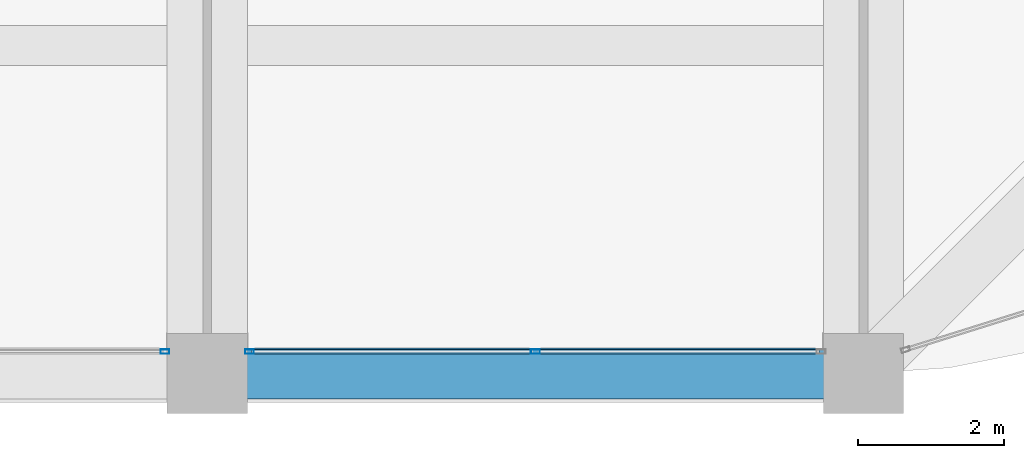
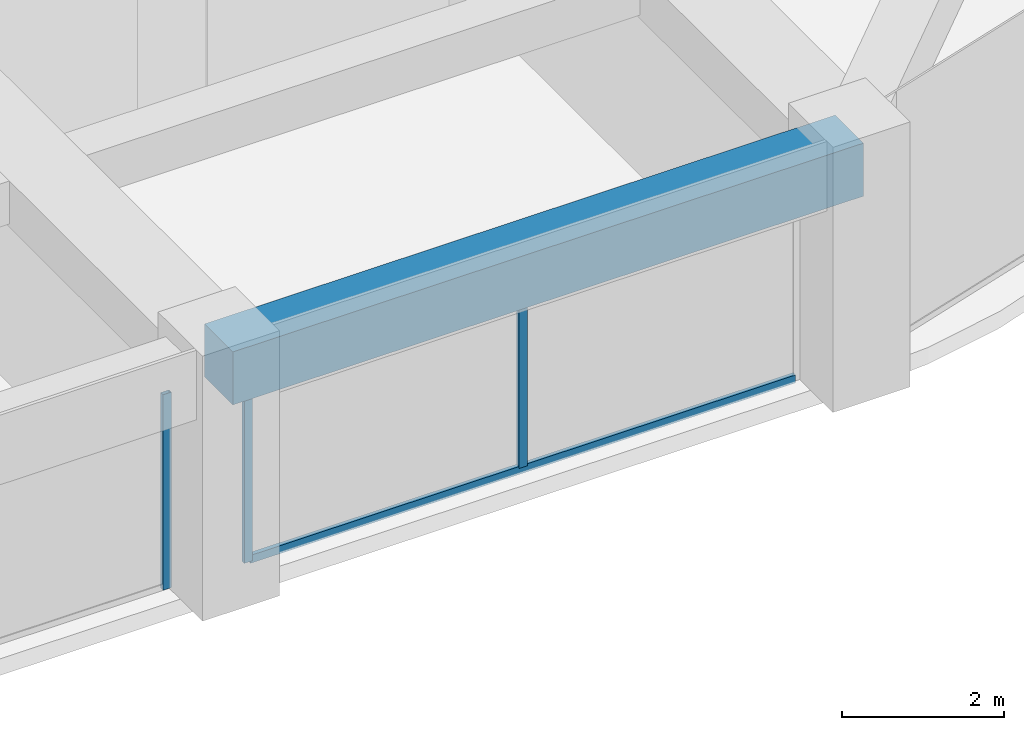
# One storey, part 11 of 44: 4 members, 1 beam, 2 elements without a shape of their own.
"""IFC4 building model written with IfcOpenShell, lengths in metres."""

from ifc_helpers import new_model, si_unit, direction, frame, origin, origin_2d, place, context, subcontext, project, spatial, rectangle, hollow_rectangle, extrude, material, material_profile, profile_set, type_object, element, aggregate, save


model = new_model("IFC4")

# Units and contexts
model_context = context("Model", 3, precision=1e-05, world=origin(), true_north=direction((0.0, 1.0)))
body_context = subcontext(model_context, "Body", "Model", "MODEL_VIEW")
ifc_project = project(units=[si_unit("LENGTHUNIT", "METRE"), si_unit("AREAUNIT", "SQUARE_METRE"), si_unit("VOLUMEUNIT", "CUBIC_METRE"), si_unit("PLANEANGLEUNIT", "RADIAN"), si_unit("MASSUNIT", "GRAM", prefix="KILO")], contexts=[model_context])

# Site, building, storey
site_placement = place(None, origin())
site = spatial("IfcSite", under=ifc_project, at=site_placement, CompositionType="ELEMENT")
building_placement = place(site_placement, origin())
building = spatial("IfcBuilding", under=site, at=building_placement, Name="Zorevar Civic Tower", CompositionType="ELEMENT")
storey_placement = place(building_placement, frame((0.0, 0.0, 267.39990234375)))
storey = spatial("IfcBuildingStorey", under=building, at=storey_placement, Name="L65", CompositionType="ELEMENT", Elevation=267.39990234375)

# Curtain wall, member
ifc_material_1 = material(Name="Dark grey solar-control glass in black aluminium frame", Category="aluminium")
curtain_wall_type = type_object("IfcCurtainWallType", Name="Curtain wall CW5 top zone", PredefinedType="NOTDEFINED", material=ifc_material_1)
curtain_wall_1_placement = place(storey_placement, origin())
curtain_wall_1 = element("IfcCurtainWall", 1, at=curtain_wall_1_placement, inside=storey, type_object=curtain_wall_type, Name="CW5 L65", PredefinedType="NOTDEFINED")
ifc_material_2 = material(Name="Aluminium, black anodised", Category="aluminium")
ifc_material_profile_1 = material_profile(ifc_material_2, hollow_rectangle(XDim=0.06005859375, YDim=0.1201171875, WallThickness=0.0029296875, at=origin_2d()), Name="AL 120x60x3")
ifc_profile_set_1 = profile_set([ifc_material_profile_1], Name="Aluminium, black anodised")
member_type_1 = type_object("IfcMemberType", Name="CW5 mullion AL 120x60x3", PredefinedType="MULLION", material=ifc_profile_set_1)
member_1_placement = place(storey_placement, frame((35.419921875, 0.300048828125, 0.0), z_axis=(0.0, 0.0, 1.0), x_axis=(0.0, 1.0, 0.0)))
member_1 = element("IfcMember", 2, at=member_1_placement, type_object=member_type_1, Name="CW5 mullion 3", PredefinedType="MULLION", context=body_context, shape_type="SweptSolid", body=[
    extrude(hollow_rectangle(XDim=0.06005859375, YDim=0.1201171875, WallThickness=0.0029296875, at=origin_2d()), origin(), (0.0, 0.0, 1.0), 2.9501953125),
])
aggregate(curtain_wall_1, [member_1])

# Curtain wall, members
curtain_wall_2_placement = place(storey_placement, origin())
curtain_wall_2 = element("IfcCurtainWall", 3, at=curtain_wall_2_placement, inside=storey, type_object=curtain_wall_type, Name="CW5 L65", PredefinedType="NOTDEFINED")
member_2_placement = place(storey_placement, frame((36.580078125, 0.300048828125, 0.0), z_axis=(0.0, 0.0, 1.0), x_axis=(0.0, 1.0, 0.0)))
member_2 = element("IfcMember", 4, at=member_2_placement, type_object=member_type_1, Name="CW5 mullion 1", PredefinedType="MULLION", context=body_context, shape_type="SweptSolid", body=[
    extrude(hollow_rectangle(XDim=0.06005859375, YDim=0.1201171875, WallThickness=0.0029296875, at=origin_2d()), origin(), (0.0, 0.0, 1.0), 2.9501953125),
])
member_3_placement = place(storey_placement, frame((40.5, 0.300048828125, 0.06005859375), z_axis=(0.0, 0.0, 1.0), x_axis=(0.0, 1.0, 0.0)))
member_3 = element("IfcMember", 5, at=member_3_placement, type_object=member_type_1, Name="CW5 mullion 2", PredefinedType="MULLION", context=body_context, shape_type="SweptSolid", body=[
    extrude(hollow_rectangle(XDim=0.06005859375, YDim=0.1201171875, WallThickness=0.0029296875, at=origin_2d()), origin(), (0.0, 0.0, 1.0), 2.89013671875),
])
ifc_material_3 = material(Name="Aluminium, black anodised", Category="aluminium")
ifc_material_profile_2 = material_profile(ifc_material_3, hollow_rectangle(XDim=0.06005859375, YDim=0.1201171875, WallThickness=0.0029296875, at=origin_2d()), Name="AL 120x60x3")
ifc_profile_set_2 = profile_set([ifc_material_profile_2], Name="Aluminium, black anodised")
member_type_2 = type_object("IfcMemberType", Name="CW5 transom AL 120x60x3", PredefinedType="USERDEFINED", material=ifc_profile_set_2)
member_4_placement = place(storey_placement, frame((36.610107421875, 0.300048828125, 0.030029296875), z_axis=(1.0, 0.0, 0.0), x_axis=(0.0, 1.0, 0.0)))
member_4 = element("IfcMember", 6, at=member_4_placement, type_object=member_type_2, Name="CW5 sill transom", ObjectType="TRANSOM", PredefinedType="USERDEFINED", context=body_context, shape_type="SweptSolid", body=[
    extrude(hollow_rectangle(XDim=0.06005859375, YDim=0.1201171875, WallThickness=0.0029296875, at=origin_2d()), origin(), (0.0, 0.0, 1.0), 7.77978515625),
])
aggregate(curtain_wall_2, [member_2, member_3, member_4])

# Beam
ifc_material_4 = material(Name="Concrete C50/60", Category="concrete")
ifc_material_profile_3 = material_profile(ifc_material_4, rectangle(XDim=0.699951171875, YDim=0.800048828125, at=origin_2d()), Name="RC 700x800")
ifc_profile_set_3 = profile_set([ifc_material_profile_3], Name="Concrete C50/60")
beam_type = type_object("IfcBeamType", Name="Edge beam RC 700x800", PredefinedType="SPANDREL", material=ifc_profile_set_3)
beam_placement = place(storey_placement, frame((36.0, 0.0, 3.35009765625), z_axis=(1.0, 0.0, 0.0), x_axis=(0.0, 1.0, 0.0)))
element("IfcBeam", 7, at=beam_placement, inside=storey, type_object=beam_type, Name="Edge beam L66", PredefinedType="SPANDREL", context=body_context, shape_type="SweptSolid", body=[
    extrude(rectangle(XDim=0.699951171875, YDim=0.800048828125, at=origin_2d()), origin(), (0.0, 0.0, 1.0), 9.0),
])

save(model, "model.ifc")
